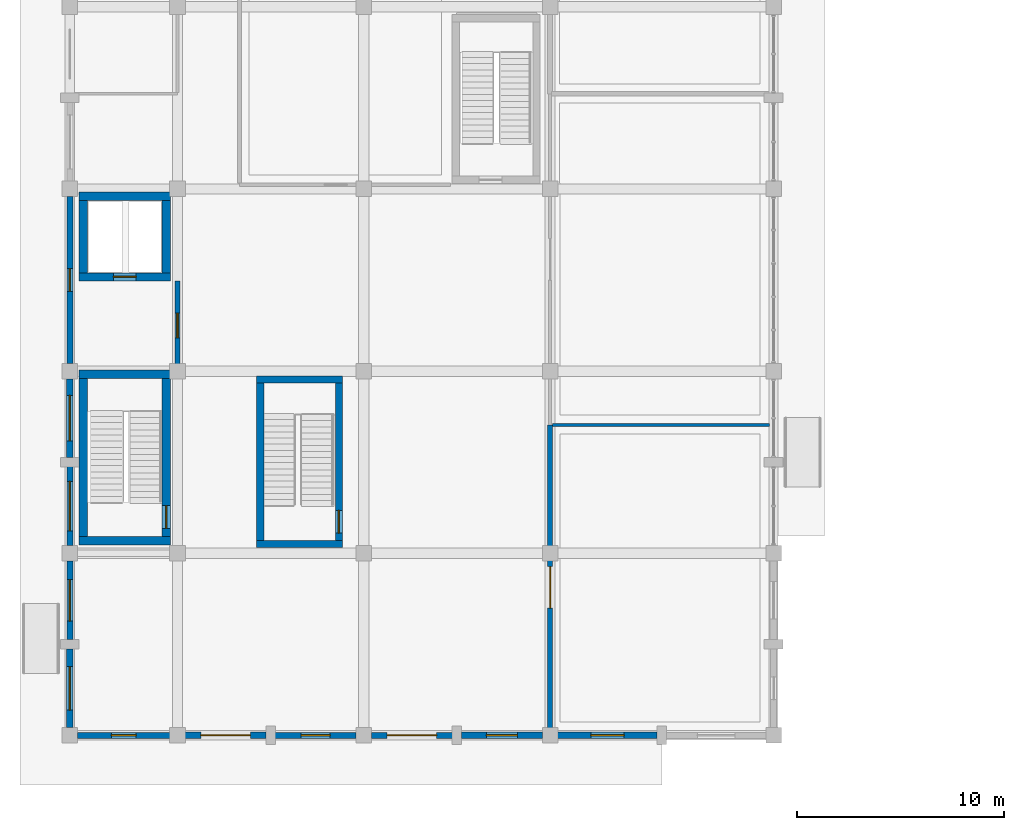
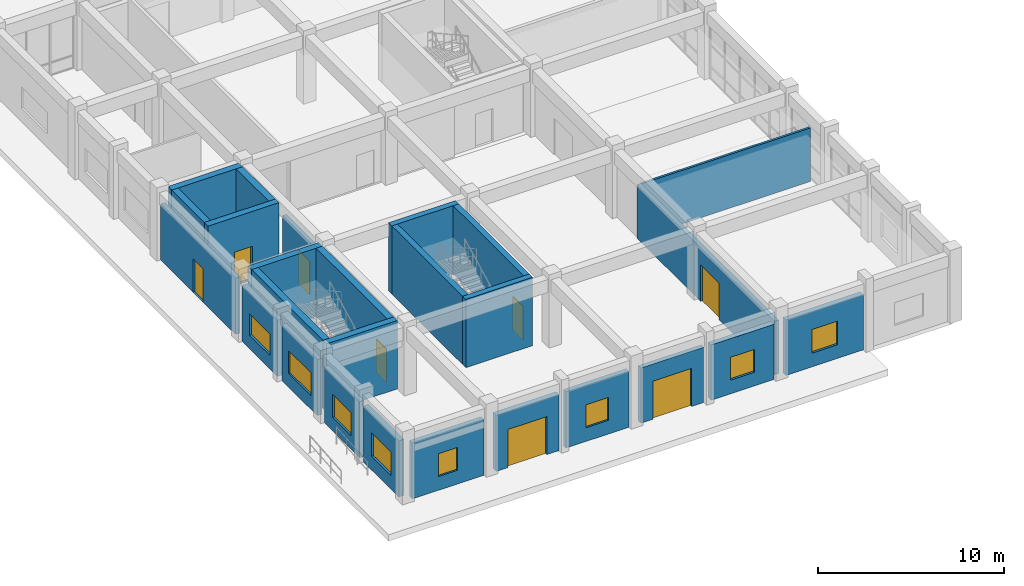
# One storey, part 32 of 47: 26 walls, 8 doors, 8 windows, 16 openings.
"""IFC4 building model written with IfcOpenShell, lengths in metres."""

from ifc_helpers import new_model, si_unit, direction, frame, frame_2d, origin, place, context, subcontext, project, spatial, rectangle, extrude, material, layer, layer_set, type_object, element, fill, save


model = new_model("IFC4")

# Units and contexts
model_context = context("Model", 3, precision=1e-05, world=origin(), true_north=direction((0.0, 1.0)))
body_context = subcontext(model_context, "Body", "Model", "MODEL_VIEW")
ifc_project = project(units=[si_unit("LENGTHUNIT", "METRE"), si_unit("AREAUNIT", "SQUARE_METRE"), si_unit("VOLUMEUNIT", "CUBIC_METRE"), si_unit("PLANEANGLEUNIT", "RADIAN"), si_unit("MASSUNIT", "GRAM", prefix="KILO")], contexts=[model_context])

# Site, building, storey
site_placement = place(None, origin())
site = spatial("IfcSite", under=ifc_project, at=site_placement, CompositionType="ELEMENT")
building_placement = place(site_placement, origin())
building = spatial("IfcBuilding", under=site, at=building_placement, Name="Ventoquebrada Cableway Terminal", CompositionType="ELEMENT")
storey_placement = place(building_placement, origin())
storey = spatial("IfcBuildingStorey", under=building, at=storey_placement, Name="L00", CompositionType="ELEMENT", Elevation=0.0)

# Wall
ifc_material_1 = material(Name="Concrete C40/50", Category="concrete")
ifc_layer_1 = layer(ifc_material_1, 0.39990234375)
ifc_layer_set_1 = layer_set([ifc_layer_1], Name="Concrete C40/50")
wall_type_1 = type_object("IfcWallType", Name="WL-CR1", PredefinedType="SHEAR", material=ifc_layer_set_1)
wall_1_placement = place(storey_placement, frame((3.449951171875, 12.39990234375, 0.0), z_axis=(0.0, 0.0, 1.0), x_axis=(1.0, 0.0, 0.0)))
element("IfcWall", 1, at=wall_1_placement, inside=storey, type_object=wall_type_1, Name="Core shear wall IW-0009", PredefinedType="SHEAR", context=body_context, shape_type="SweptSolid", body=[
    extrude(rectangle(XDim=4.400146484375, YDim=0.39990234375, at=frame_2d((2.2001953125, 0.0))), origin(), (0.0, 0.0, 1.0), 4.489990234375),
])

# Wall, opening, door
wall_2_placement = place(storey_placement, frame((7.64990234375, 12.60009765625, 0.0), z_axis=(0.0, 0.0, 1.0), x_axis=(0.0, 1.0, 0.0)))
wall_2 = element("IfcWall", 2, at=wall_2_placement, inside=storey, type_object=wall_type_1, Name="Core shear wall IW-0010", PredefinedType="SHEAR", context=body_context, shape_type="SweptSolid", body=[
    extrude(rectangle(XDim=7.64990234375, YDim=0.39990234375, at=frame_2d((3.824951171875, 0.0))), origin(), (0.0, 0.0, 1.0), 4.489990234375),
])
opening_1_placement = place(wall_2_placement, frame((0.39990234375, 0.0, 0.0)))
opening_1 = element("IfcOpeningElement", 3, at=opening_1_placement, cuts=wall_2, Name="Opening D-002", PredefinedType="OPENING", context=body_context, shape_type="SweptSolid", body=[
    extrude(rectangle(XDim=1.10009765625, YDim=2.199951171875, at=frame_2d((0.550048828125, 1.10009765625))), frame((0.0, 0.2099609375, 0.0), z_axis=(0.0, -1.0, 0.0), x_axis=(1.0, 0.0, 0.0)), (0.0, 0.0, 1.0), 0.419921875),
])
ifc_material_2 = material(Name="Galvanized fire-rated steel door assembly", Category="steel")
door_type_1 = type_object("IfcDoorType", Name="DT-IN05", OperationType="SINGLE_SWING_LEFT", PredefinedType="DOOR", material=ifc_material_2)
door_1_placement = place(opening_1_placement, origin())
door_1 = element("IfcDoor", 4, at=door_1_placement, inside=storey, type_object=door_type_1, Name="Core K1-S stair fire door D-002", OperationType="SINGLE_SWING_LEFT", OverallHeight=2.199951171875, OverallWidth=1.10009765625, PredefinedType="DOOR", context=body_context, shape_type="SweptSolid", body=[
    extrude(rectangle(XDim=1.10009765625, YDim=2.199951171875, at=frame_2d((0.550048828125, 1.10009765625))), frame((0.0, 0.02490234375, 0.0), z_axis=(0.0, -1.0, 0.0), x_axis=(1.0, 0.0, 0.0)), (0.0, 0.0, 1.0), 0.050048828125),
])
fill(opening_1, door_1)

# Walls
wall_3_placement = place(storey_placement, frame((7.85009765625, 20.449951171875, 0.0), z_axis=(0.0, 0.0, 1.0), x_axis=(-1.0, 0.0, 0.0)))
element("IfcWall", 5, at=wall_3_placement, inside=storey, type_object=wall_type_1, Name="Core shear wall IW-0011", PredefinedType="SHEAR", context=body_context, shape_type="SweptSolid", body=[
    extrude(rectangle(XDim=4.400146484375, YDim=0.39990234375, at=frame_2d((2.2001953125, 0.0))), origin(), (0.0, 0.0, 1.0), 4.489990234375),
])
wall_4_placement = place(storey_placement, frame((3.64990234375, 20.25, 0.0), z_axis=(0.0, 0.0, 1.0), x_axis=(0.0, -1.0, 0.0)))
element("IfcWall", 6, at=wall_4_placement, inside=storey, type_object=wall_type_1, Name="Core shear wall IW-0012", PredefinedType="SHEAR", context=body_context, shape_type="SweptSolid", body=[
    extrude(rectangle(XDim=7.64990234375, YDim=0.39990234375, at=frame_2d((3.824951171875, 0.0))), origin(), (0.0, 0.0, 1.0), 4.489990234375),
])

# Wall, opening, door
wall_5_placement = place(storey_placement, frame((3.449951171875, 25.14990234375, 0.0), z_axis=(0.0, 0.0, 1.0), x_axis=(1.0, 0.0, 0.0)))
wall_5 = element("IfcWall", 7, at=wall_5_placement, inside=storey, type_object=wall_type_1, Name="Core shear wall IW-0013", PredefinedType="SHEAR", context=body_context, shape_type="SweptSolid", body=[
    extrude(rectangle(XDim=4.400146484375, YDim=0.39990234375, at=frame_2d((2.2001953125, 0.0))), origin(), (0.0, 0.0, 1.0), 4.489990234375),
])
opening_2_placement = place(wall_5_placement, frame((1.64990234375, 0.0, 0.0)))
opening_2 = element("IfcOpeningElement", 8, at=opening_2_placement, cuts=wall_5, Name="Opening LD-002", PredefinedType="OPENING", context=body_context, shape_type="SweptSolid", body=[
    extrude(rectangle(XDim=1.10009765625, YDim=2.199951171875, at=frame_2d((0.550048828125, 1.10009765625))), frame((0.0, 0.2099609375, 0.0), z_axis=(0.0, -1.0, 0.0), x_axis=(1.0, 0.0, 0.0)), (0.0, 0.0, 1.0), 0.419921875),
])
ifc_material_3 = material(Name="Brushed stainless steel Grade 316", Category="steel")
door_type_2 = type_object("IfcDoorType", Name="DT-LD01", OperationType="SLIDING_TO_LEFT", PredefinedType="DOOR", material=ifc_material_3)
door_2_placement = place(opening_2_placement, origin())
door_2 = element("IfcDoor", 9, at=door_2_placement, inside=storey, type_object=door_type_2, Name="Lift landing sliding door LD-002", OperationType="SLIDING_TO_LEFT", OverallHeight=2.199951171875, OverallWidth=1.10009765625, PredefinedType="DOOR", context=body_context, shape_type="SweptSolid", body=[
    extrude(rectangle(XDim=1.10009765625, YDim=2.199951171875, at=frame_2d((0.550048828125, 1.10009765625))), frame((0.0, 0.02490234375, 0.0), z_axis=(0.0, -1.0, 0.0), x_axis=(1.0, 0.0, 0.0)), (0.0, 0.0, 1.0), 0.050048828125),
])
fill(opening_2, door_2)

# Walls
wall_6_placement = place(storey_placement, frame((7.64990234375, 25.35009765625, 0.0), z_axis=(0.0, 0.0, 1.0), x_axis=(0.0, 1.0, 0.0)))
element("IfcWall", 10, at=wall_6_placement, inside=storey, type_object=wall_type_1, Name="Core shear wall IW-0014", PredefinedType="SHEAR", context=body_context, shape_type="SweptSolid", body=[
    extrude(rectangle(XDim=3.5, YDim=0.39990234375, at=frame_2d((1.75, 0.0))), origin(), (0.0, 0.0, 1.0), 4.489990234375),
])
wall_7_placement = place(storey_placement, frame((7.85009765625, 29.050048828125, 0.0), z_axis=(0.0, 0.0, 1.0), x_axis=(-1.0, 0.0, 0.0)))
element("IfcWall", 11, at=wall_7_placement, inside=storey, type_object=wall_type_1, Name="Core shear wall IW-0015", PredefinedType="SHEAR", context=body_context, shape_type="SweptSolid", body=[
    extrude(rectangle(XDim=4.400146484375, YDim=0.39990234375, at=frame_2d((2.2001953125, 0.0))), origin(), (0.0, 0.0, 1.0), 4.489990234375),
])
wall_8_placement = place(storey_placement, frame((3.64990234375, 28.85009765625, 0.0), z_axis=(0.0, 0.0, 1.0), x_axis=(0.0, -1.0, 0.0)))
element("IfcWall", 12, at=wall_8_placement, inside=storey, type_object=wall_type_1, Name="Core shear wall IW-0016", PredefinedType="SHEAR", context=body_context, shape_type="SweptSolid", body=[
    extrude(rectangle(XDim=3.5, YDim=0.39990234375, at=frame_2d((1.75, 0.0))), origin(), (0.0, 0.0, 1.0), 4.489990234375),
])

# Wall, opening, window
ifc_material_4 = material(Name="Precast architectural concrete C40/50", Category="concrete")
ifc_layer_2 = layer(ifc_material_4, 0.280029296875)
ifc_layer_set_2 = layer_set([ifc_layer_2], Name="Precast architectural concrete C40/50")
wall_type_2 = type_object("IfcWallType", Name="WL-EX1", PredefinedType="SOLIDWALL", material=ifc_layer_set_2)
wall_9_placement = place(storey_placement, frame((3.3701171875, 3.0, 0.0), z_axis=(0.0, 0.0, 1.0), x_axis=(1.0, 0.0, 0.0)))
wall_9 = element("IfcWall", 13, at=wall_9_placement, inside=storey, type_object=wall_type_2, Name="Exterior architectural wall EW-0074", PredefinedType="SOLIDWALL", context=body_context, shape_type="SweptSolid", body=[
    extrude(rectangle(XDim=4.4599609375, YDim=0.280029296875, at=frame_2d((2.22998046875, 0.0))), origin(), (0.0, 0.0, 1.0), 3.68505859375),
])
opening_3_placement = place(wall_9_placement, frame((1.6298828125, 0.0, 0.89990234375)))
opening_3 = element("IfcOpeningElement", 14, at=opening_3_placement, cuts=wall_9, Name="Opening WN-001", PredefinedType="OPENING", context=body_context, shape_type="SweptSolid", body=[
    extrude(rectangle(XDim=1.199951171875, YDim=1.5, at=frame_2d((0.60009765625, 0.75))), frame((0.0, 0.14990234375, 0.0), z_axis=(0.0, -1.0, 0.0), x_axis=(1.0, 0.0, 0.0)), (0.0, 0.0, 1.0), 0.300048828125),
])
ifc_material_5 = material(Name="Double low-e laminated safety glazing", Category="glass")
window_type_1 = type_object("IfcWindowType", Name="WT-01", PartitioningType="SINGLE_PANEL", PredefinedType="WINDOW", material=ifc_material_5)
window_1_placement = place(opening_3_placement, origin())
window_1 = element("IfcWindow", 15, at=window_1_placement, inside=storey, type_object=window_type_1, Name="Architectural punched window WN-001", OverallHeight=1.5, OverallWidth=1.199951171875, PartitioningType="SINGLE_PANEL", PredefinedType="WINDOW", context=body_context, shape_type="SweptSolid", body=[
    extrude(rectangle(XDim=1.199951171875, YDim=1.5, at=frame_2d((0.60009765625, 0.75))), frame((0.0, 0.030029296875, 0.0), z_axis=(0.0, -1.0, 0.0), x_axis=(1.0, 0.0, 0.0)), (0.0, 0.0, 1.0), 0.06005859375),
])
fill(opening_3, window_1)

wall_10_placement = place(storey_placement, frame((12.919921875, 3.0, 0.0), z_axis=(0.0, 0.0, 1.0), x_axis=(1.0, 0.0, 0.0)))
wall_10 = element("IfcWall", 16, at=wall_10_placement, inside=storey, type_object=wall_type_2, Name="Exterior architectural wall EW-0076", PredefinedType="SOLIDWALL", context=body_context, shape_type="SweptSolid", body=[
    extrude(rectangle(XDim=3.91015625, YDim=0.280029296875, at=frame_2d((1.955078125, 0.0))), origin(), (0.0, 0.0, 1.0), 3.68505859375),
])
opening_4_placement = place(wall_10_placement, frame((1.2548828125, 0.0, 0.89990234375)))
opening_4 = element("IfcOpeningElement", 17, at=opening_4_placement, cuts=wall_10, Name="Opening WN-002", PredefinedType="OPENING", context=body_context, shape_type="SweptSolid", body=[
    extrude(rectangle(XDim=1.39990234375, YDim=1.5, at=frame_2d((0.699951171875, 0.75))), frame((0.0, 0.14990234375, 0.0), z_axis=(0.0, -1.0, 0.0), x_axis=(1.0, 0.0, 0.0)), (0.0, 0.0, 1.0), 0.300048828125),
])
window_type_2 = type_object("IfcWindowType", Name="WT-02", PartitioningType="SINGLE_PANEL", PredefinedType="WINDOW", material=ifc_material_5)
window_2_placement = place(opening_4_placement, origin())
window_2 = element("IfcWindow", 18, at=window_2_placement, inside=storey, type_object=window_type_2, Name="Architectural punched window WN-002", OverallHeight=1.5, OverallWidth=1.39990234375, PartitioningType="SINGLE_PANEL", PredefinedType="WINDOW", context=body_context, shape_type="SweptSolid", body=[
    extrude(rectangle(XDim=1.39990234375, YDim=1.5, at=frame_2d((0.699951171875, 0.75))), frame((0.0, 0.030029296875, 0.0), z_axis=(0.0, -1.0, 0.0), x_axis=(1.0, 0.0, 0.0)), (0.0, 0.0, 1.0), 0.06005859375),
])
fill(opening_4, window_2)

# Wall, opening, door
wall_11_placement = place(storey_placement, frame((17.570068359375, 3.0, 0.0), z_axis=(0.0, 0.0, 1.0), x_axis=(1.0, 0.0, 0.0)))
wall_11 = element("IfcWall", 19, at=wall_11_placement, inside=storey, type_object=wall_type_2, Name="Exterior architectural wall EW-0077", PredefinedType="SOLIDWALL", context=body_context, shape_type="SweptSolid", body=[
    extrude(rectangle(XDim=3.909912109375, YDim=0.280029296875, at=frame_2d((1.955078125, 0.0))), origin(), (0.0, 0.0, 1.0), 3.625),
])
opening_5_placement = place(wall_11_placement, frame((0.7548828125, 0.0, 0.0)))
opening_5 = element("IfcOpeningElement", 20, at=opening_5_placement, cuts=wall_11, Name="Opening D-EN-02", PredefinedType="OPENING", context=body_context, shape_type="SweptSolid", body=[
    extrude(rectangle(XDim=2.39990234375, YDim=2.5, at=frame_2d((1.199951171875, 1.25))), frame((0.0, 0.14990234375, 0.0), z_axis=(0.0, -1.0, 0.0), x_axis=(1.0, 0.0, 0.0)), (0.0, 0.0, 1.0), 0.300048828125),
])
ifc_material_6 = material(Name="Galvanized acoustic steel door assembly", Category="steel")
door_type_3 = type_object("IfcDoorType", Name="DT-EX02", OperationType="DOUBLE_SWING_RIGHT", PredefinedType="DOOR", material=ifc_material_6)
door_3_placement = place(opening_5_placement, origin())
door_3 = element("IfcDoor", 21, at=door_3_placement, inside=storey, type_object=door_type_3, Name="Exterior d-en door D-EN-02", OperationType="DOUBLE_SWING_LEFT", OverallHeight=2.5, OverallWidth=2.39990234375, PredefinedType="DOOR", context=body_context, shape_type="SweptSolid", body=[
    extrude(rectangle(XDim=2.39990234375, YDim=2.5, at=frame_2d((1.199951171875, 1.25))), frame((0.0, 0.02490234375, 0.0), z_axis=(0.0, -1.0, 0.0), x_axis=(1.0, 0.0, 0.0)), (0.0, 0.0, 1.0), 0.050048828125),
])
fill(opening_5, door_3)

# Wall, opening, window
wall_12_placement = place(storey_placement, frame((3.0, 11.429931640625, 0.0), z_axis=(0.0, 0.0, 1.0), x_axis=(0.0, -1.0, 0.0)))
wall_12 = element("IfcWall", 22, at=wall_12_placement, inside=storey, type_object=wall_type_2, Name="Exterior architectural wall EW-0085", PredefinedType="SOLIDWALL", context=body_context, shape_type="SweptSolid", body=[
    extrude(rectangle(XDim=3.809814453125, YDim=0.280029296875, at=frame_2d((1.90478515625, 0.0))), origin(), (0.0, 0.0, 1.0), 3.68505859375),
])
opening_6_placement = place(wall_12_placement, frame((0.905029296875, 0.0, 0.89990234375)))
opening_6 = element("IfcOpeningElement", 23, at=opening_6_placement, cuts=wall_12, Name="Opening WN-007", PredefinedType="OPENING", context=body_context, shape_type="SweptSolid", body=[
    extrude(rectangle(XDim=2.0, YDim=1.5, at=frame_2d((1.0, 0.75))), frame((0.0, 0.14990234375, 0.0), z_axis=(0.0, -1.0, 0.0), x_axis=(1.0, 0.0, 0.0)), (0.0, 0.0, 1.0), 0.300048828125),
])
window_type_3 = type_object("IfcWindowType", Name="WT-07", PartitioningType="SINGLE_PANEL", PredefinedType="WINDOW", material=ifc_material_5)
window_3_placement = place(opening_6_placement, origin())
window_3 = element("IfcWindow", 24, at=window_3_placement, inside=storey, type_object=window_type_3, Name="Architectural punched window WN-007", OverallHeight=1.5, OverallWidth=2.0, PartitioningType="SINGLE_PANEL", PredefinedType="WINDOW", context=body_context, shape_type="SweptSolid", body=[
    extrude(rectangle(XDim=2.0, YDim=1.5, at=frame_2d((1.0, 0.75))), frame((0.0, 0.030029296875, 0.0), z_axis=(0.0, -1.0, 0.0), x_axis=(1.0, 0.0, 0.0)), (0.0, 0.0, 1.0), 0.06005859375),
])
fill(opening_6, window_3)

wall_13_placement = place(storey_placement, frame((3.0, 15.97998046875, 0.0), z_axis=(0.0, 0.0, 1.0), x_axis=(0.0, -1.0, 0.0)))
wall_13 = element("IfcWall", 25, at=wall_13_placement, inside=storey, type_object=wall_type_2, Name="Exterior architectural wall EW-0088", PredefinedType="SOLIDWALL", context=body_context, shape_type="SweptSolid", body=[
    extrude(rectangle(XDim=3.81005859375, YDim=0.280029296875, at=frame_2d((1.905029296875, 0.0))), origin(), (0.0, 0.0, 1.0), 3.68505859375),
])
opening_7_placement = place(wall_13_placement, frame((0.705078125, 0.0, 0.89990234375)))
opening_7 = element("IfcOpeningElement", 26, at=opening_7_placement, cuts=wall_13, Name="Opening WN-010", PredefinedType="OPENING", context=body_context, shape_type="SweptSolid", body=[
    extrude(rectangle(XDim=2.39990234375, YDim=1.5, at=frame_2d((1.199951171875, 0.75))), frame((0.0, 0.14990234375, 0.0), z_axis=(0.0, -1.0, 0.0), x_axis=(1.0, 0.0, 0.0)), (0.0, 0.0, 1.0), 0.300048828125),
])
window_type_4 = type_object("IfcWindowType", Name="WT-10", PartitioningType="SINGLE_PANEL", PredefinedType="WINDOW", material=ifc_material_5)
window_4_placement = place(opening_7_placement, origin())
window_4 = element("IfcWindow", 27, at=window_4_placement, inside=storey, type_object=window_type_4, Name="Architectural punched window WN-010", OverallHeight=1.5, OverallWidth=2.39990234375, PartitioningType="SINGLE_PANEL", PredefinedType="WINDOW", context=body_context, shape_type="SweptSolid", body=[
    extrude(rectangle(XDim=2.39990234375, YDim=1.5, at=frame_2d((1.199951171875, 0.75))), frame((0.0, 0.030029296875, 0.0), z_axis=(0.0, -1.0, 0.0), x_axis=(1.0, 0.0, 0.0)), (0.0, 0.0, 1.0), 0.06005859375),
])
fill(opening_7, window_4)

# Wall, opening, door
wall_14_placement = place(storey_placement, frame((3.0, 29.030029296875, 0.0), z_axis=(0.0, 0.0, 1.0), x_axis=(0.0, -1.0, 0.0)))
wall_14 = element("IfcWall", 28, at=wall_14_placement, inside=storey, type_object=wall_type_2, Name="Exterior architectural wall EW-0089", PredefinedType="SOLIDWALL", context=body_context, shape_type="SweptSolid", body=[
    extrude(rectangle(XDim=8.06005859375, YDim=0.280029296875, at=frame_2d((4.030029296875, 0.0))), origin(), (0.0, 0.0, 1.0), 3.68505859375),
])
opening_8_placement = place(wall_14_placement, frame((3.47998046875, 0.0, 0.0)))
opening_8 = element("IfcOpeningElement", 29, at=opening_8_placement, cuts=wall_14, Name="Opening D-EX-06", PredefinedType="OPENING", context=body_context, shape_type="SweptSolid", body=[
    extrude(rectangle(XDim=1.10009765625, YDim=2.199951171875, at=frame_2d((0.550048828125, 1.10009765625))), frame((0.0, 0.14990234375, 0.0), z_axis=(0.0, -1.0, 0.0), x_axis=(1.0, 0.0, 0.0)), (0.0, 0.0, 1.0), 0.300048828125),
])
door_type_4 = type_object("IfcDoorType", Name="DT-EX04", OperationType="SINGLE_SWING_LEFT", PredefinedType="DOOR", material=ifc_material_6)
door_4_placement = place(opening_8_placement, origin())
door_4 = element("IfcDoor", 30, at=door_4_placement, inside=storey, type_object=door_type_4, Name="Exterior d-ex door D-EX-06", OperationType="SINGLE_SWING_LEFT", OverallHeight=2.199951171875, OverallWidth=1.10009765625, PredefinedType="DOOR", context=body_context, shape_type="SweptSolid", body=[
    extrude(rectangle(XDim=1.10009765625, YDim=2.199951171875, at=frame_2d((0.550048828125, 1.10009765625))), frame((0.0, 0.02490234375, 0.0), z_axis=(0.0, -1.0, 0.0), x_axis=(1.0, 0.0, 0.0)), (0.0, 0.0, 1.0), 0.050048828125),
])
fill(opening_8, door_4)

ifc_layer_3 = layer(ifc_material_4, 0.320068359375)
ifc_layer_set_3 = layer_set([ifc_layer_3], Name="Precast architectural concrete C40/50")
wall_type_3 = type_object("IfcWallType", Name="WL-EX2", PredefinedType="SOLIDWALL", material=ifc_layer_set_3)
wall_15_placement = place(storey_placement, frame((8.570068359375, 3.0, 0.0), z_axis=(0.0, 0.0, 1.0), x_axis=(1.0, 0.0, 0.0)))
wall_15 = element("IfcWall", 31, at=wall_15_placement, inside=storey, type_object=wall_type_3, Name="Exterior architectural wall EW-0075", PredefinedType="SOLIDWALL", context=body_context, shape_type="SweptSolid", body=[
    extrude(rectangle(XDim=3.909912109375, YDim=0.320068359375, at=frame_2d((1.955078125, 0.0))), origin(), (0.0, 0.0, 1.0), 3.68505859375),
])
opening_9_placement = place(wall_15_placement, frame((0.7548828125, 0.0, 0.0)))
opening_9 = element("IfcOpeningElement", 32, at=opening_9_placement, cuts=wall_15, Name="Opening D-EX-01", PredefinedType="OPENING", context=body_context, shape_type="SweptSolid", body=[
    extrude(rectangle(XDim=2.39990234375, YDim=2.5, at=frame_2d((1.199951171875, 1.25))), frame((0.0, 0.169921875, 0.0), z_axis=(0.0, -1.0, 0.0), x_axis=(1.0, 0.0, 0.0)), (0.0, 0.0, 1.0), 0.340087890625),
])
door_5_placement = place(opening_9_placement, origin())
door_5 = element("IfcDoor", 33, at=door_5_placement, inside=storey, type_object=door_type_3, Name="Exterior d-ex door D-EX-01", OperationType="DOUBLE_SWING_RIGHT", OverallHeight=2.5, OverallWidth=2.39990234375, PredefinedType="DOOR", context=body_context, shape_type="SweptSolid", body=[
    extrude(rectangle(XDim=2.39990234375, YDim=2.5, at=frame_2d((1.199951171875, 1.25))), frame((0.0, 0.02490234375, 0.0), z_axis=(0.0, -1.0, 0.0), x_axis=(1.0, 0.0, 0.0)), (0.0, 0.0, 1.0), 0.050048828125),
])
fill(opening_9, door_5)

# Wall, opening, window
wall_16_placement = place(storey_placement, frame((21.919921875, 3.0, 0.0), z_axis=(0.0, 0.0, 1.0), x_axis=(1.0, 0.0, 0.0)))
wall_16 = element("IfcWall", 34, at=wall_16_placement, inside=storey, type_object=wall_type_3, Name="Exterior architectural wall EW-0078", PredefinedType="SOLIDWALL", context=body_context, shape_type="SweptSolid", body=[
    extrude(rectangle(XDim=3.91015625, YDim=0.320068359375, at=frame_2d((1.955078125, 0.0))), origin(), (0.0, 0.0, 1.0), 3.625),
])
opening_10_placement = place(wall_16_placement, frame((1.205078125, 0.0, 0.89990234375)))
opening_10 = element("IfcOpeningElement", 35, at=opening_10_placement, cuts=wall_16, Name="Opening WN-003", PredefinedType="OPENING", context=body_context, shape_type="SweptSolid", body=[
    extrude(rectangle(XDim=1.5, YDim=1.5, at=frame_2d((0.75, 0.75))), frame((0.0, 0.169921875, 0.0), z_axis=(0.0, -1.0, 0.0), x_axis=(1.0, 0.0, 0.0)), (0.0, 0.0, 1.0), 0.340087890625),
])
window_type_5 = type_object("IfcWindowType", Name="WT-03", PartitioningType="SINGLE_PANEL", PredefinedType="WINDOW", material=ifc_material_5)
window_5_placement = place(opening_10_placement, origin())
window_5 = element("IfcWindow", 36, at=window_5_placement, inside=storey, type_object=window_type_5, Name="Architectural punched window WN-003", OverallHeight=1.5, OverallWidth=1.5, PartitioningType="SINGLE_PANEL", PredefinedType="WINDOW", context=body_context, shape_type="SweptSolid", body=[
    extrude(rectangle(XDim=1.5, YDim=1.5, at=frame_2d((0.75, 0.75))), frame((0.0, 0.030029296875, 0.0), z_axis=(0.0, -1.0, 0.0), x_axis=(1.0, 0.0, 0.0)), (0.0, 0.0, 1.0), 0.06005859375),
])
fill(opening_10, window_5)

wall_17_placement = place(storey_placement, frame((26.570068359375, 3.0, 0.0), z_axis=(0.0, 0.0, 1.0), x_axis=(1.0, 0.0, 0.0)))
wall_17 = element("IfcWall", 37, at=wall_17_placement, inside=storey, type_object=wall_type_3, Name="Exterior architectural wall EW-0079", PredefinedType="SOLIDWALL", context=body_context, shape_type="SweptSolid", body=[
    extrude(rectangle(XDim=4.809814453125, YDim=0.320068359375, at=frame_2d((2.40478515625, 0.0))), origin(), (0.0, 0.0, 1.0), 3.625),
])
opening_11_placement = place(wall_17_placement, frame((1.60498046875, 0.0, 0.89990234375)))
opening_11 = element("IfcOpeningElement", 38, at=opening_11_placement, cuts=wall_17, Name="Opening WN-004", PredefinedType="OPENING", context=body_context, shape_type="SweptSolid", body=[
    extrude(rectangle(XDim=1.60009765625, YDim=1.550048828125, at=frame_2d((0.800048828125, 0.77490234375))), frame((0.0, 0.169921875, 0.0), z_axis=(0.0, -1.0, 0.0), x_axis=(1.0, 0.0, 0.0)), (0.0, 0.0, 1.0), 0.340087890625),
])
window_type_6 = type_object("IfcWindowType", Name="WT-04", PartitioningType="SINGLE_PANEL", PredefinedType="WINDOW", material=ifc_material_5)
window_6_placement = place(opening_11_placement, origin())
window_6 = element("IfcWindow", 39, at=window_6_placement, inside=storey, type_object=window_type_6, Name="Architectural punched window WN-004", OverallHeight=1.550048828125, OverallWidth=1.60009765625, PartitioningType="SINGLE_PANEL", PredefinedType="WINDOW", context=body_context, shape_type="SweptSolid", body=[
    extrude(rectangle(XDim=1.60009765625, YDim=1.550048828125, at=frame_2d((0.800048828125, 0.77490234375))), frame((0.0, 0.030029296875, 0.0), z_axis=(0.0, -1.0, 0.0), x_axis=(1.0, 0.0, 0.0)), (0.0, 0.0, 1.0), 0.06005859375),
])
fill(opening_11, window_6)

wall_18_placement = place(storey_placement, frame((3.0, 7.179931640625, 0.0), z_axis=(0.0, 0.0, 1.0), x_axis=(0.0, -1.0, 0.0)))
wall_18 = element("IfcWall", 40, at=wall_18_placement, inside=storey, type_object=wall_type_3, Name="Exterior architectural wall EW-0086", PredefinedType="SOLIDWALL", context=body_context, shape_type="SweptSolid", body=[
    extrude(rectangle(XDim=3.809814453125, YDim=0.320068359375, at=frame_2d((1.90478515625, 0.0))), origin(), (0.0, 0.0, 1.0), 3.68505859375),
])
opening_12_placement = place(wall_18_placement, frame((0.85498046875, 0.0, 0.89990234375)))
opening_12 = element("IfcOpeningElement", 41, at=opening_12_placement, cuts=wall_18, Name="Opening WN-008", PredefinedType="OPENING", context=body_context, shape_type="SweptSolid", body=[
    extrude(rectangle(XDim=2.10009765625, YDim=1.550048828125, at=frame_2d((1.050048828125, 0.77490234375))), frame((0.0, 0.169921875, 0.0), z_axis=(0.0, -1.0, 0.0), x_axis=(1.0, 0.0, 0.0)), (0.0, 0.0, 1.0), 0.340087890625),
])
window_type_7 = type_object("IfcWindowType", Name="WT-08", PartitioningType="SINGLE_PANEL", PredefinedType="WINDOW", material=ifc_material_5)
window_7_placement = place(opening_12_placement, origin())
window_7 = element("IfcWindow", 42, at=window_7_placement, inside=storey, type_object=window_type_7, Name="Architectural punched window WN-008", OverallHeight=1.550048828125, OverallWidth=2.10009765625, PartitioningType="SINGLE_PANEL", PredefinedType="WINDOW", context=body_context, shape_type="SweptSolid", body=[
    extrude(rectangle(XDim=2.10009765625, YDim=1.550048828125, at=frame_2d((1.050048828125, 0.77490234375))), frame((0.0, 0.030029296875, 0.0), z_axis=(0.0, -1.0, 0.0), x_axis=(1.0, 0.0, 0.0)), (0.0, 0.0, 1.0), 0.06005859375),
])
fill(opening_12, window_7)

wall_19_placement = place(storey_placement, frame((3.0, 20.22998046875, 0.0), z_axis=(0.0, 0.0, 1.0), x_axis=(0.0, -1.0, 0.0)))
wall_19 = element("IfcWall", 43, at=wall_19_placement, inside=storey, type_object=wall_type_3, Name="Exterior architectural wall EW-0087", PredefinedType="SOLIDWALL", context=body_context, shape_type="SweptSolid", body=[
    extrude(rectangle(XDim=3.81005859375, YDim=0.320068359375, at=frame_2d((1.905029296875, 0.0))), origin(), (0.0, 0.0, 1.0), 3.68505859375),
])
opening_13_placement = place(wall_19_placement, frame((0.804931640625, 0.0, 0.89990234375)))
opening_13 = element("IfcOpeningElement", 44, at=opening_13_placement, cuts=wall_19, Name="Opening WN-009", PredefinedType="OPENING", context=body_context, shape_type="SweptSolid", body=[
    extrude(rectangle(XDim=2.199951171875, YDim=1.39990234375, at=frame_2d((1.10009765625, 0.699951171875))), frame((0.0, 0.169921875, 0.0), z_axis=(0.0, -1.0, 0.0), x_axis=(1.0, 0.0, 0.0)), (0.0, 0.0, 1.0), 0.340087890625),
])
window_type_8 = type_object("IfcWindowType", Name="WT-09", PartitioningType="SINGLE_PANEL", PredefinedType="WINDOW", material=ifc_material_5)
window_8_placement = place(opening_13_placement, origin())
window_8 = element("IfcWindow", 45, at=window_8_placement, inside=storey, type_object=window_type_8, Name="Architectural punched window WN-009", OverallHeight=1.39990234375, OverallWidth=2.199951171875, PartitioningType="SINGLE_PANEL", PredefinedType="WINDOW", context=body_context, shape_type="SweptSolid", body=[
    extrude(rectangle(XDim=2.199951171875, YDim=1.39990234375, at=frame_2d((1.10009765625, 0.699951171875))), frame((0.0, 0.030029296875, 0.0), z_axis=(0.0, -1.0, 0.0), x_axis=(1.0, 0.0, 0.0)), (0.0, 0.0, 1.0), 0.06005859375),
])
fill(opening_13, window_8)

# Wall, opening, door
ifc_material_7 = material(Name="Autoclaved aerated concrete blockwork", Category="masonry")
ifc_layer_4 = layer(ifc_material_7, 0.22998046875)
ifc_layer_set_4 = layer_set([ifc_layer_4], Name="Autoclaved aerated concrete blockwork")
wall_type_4 = type_object("IfcWallType", Name="WL-PT5", PredefinedType="PARTITIONING", material=ifc_layer_set_4)
wall_20_placement = place(storey_placement, frame((8.199951171875, 20.64990234375, 0.0), z_axis=(0.0, 0.0, 1.0), x_axis=(0.0, 1.0, 0.0)))
wall_20 = element("IfcWall", 46, at=wall_20_placement, inside=storey, type_object=wall_type_4, Name="Interior partition IW-0315", PredefinedType="PARTITIONING", context=body_context, shape_type="SweptSolid", body=[
    extrude(rectangle(XDim=4.300048828125, YDim=0.22998046875, at=frame_2d((2.14990234375, 0.0))), origin(), (0.0, 0.0, 1.0), 3.574951171875),
])
opening_14_placement = place(wall_20_placement, frame((1.550048828125, 0.0, 0.0)))
opening_14 = element("IfcOpeningElement", 47, at=opening_14_placement, cuts=wall_20, Name="Opening D-061", PredefinedType="OPENING", context=body_context, shape_type="SweptSolid", body=[
    extrude(rectangle(XDim=1.199951171875, YDim=2.199951171875, at=frame_2d((0.60009765625, 1.10009765625))), frame((0.0, 0.125, 0.0), z_axis=(0.0, -1.0, 0.0), x_axis=(1.0, 0.0, 0.0)), (0.0, 0.0, 1.0), 0.25),
])
door_type_5 = type_object("IfcDoorType", Name="DT-IN06", OperationType="SINGLE_SWING_RIGHT", PredefinedType="DOOR", material=ifc_material_2)
door_6_placement = place(opening_14_placement, origin())
door_6 = element("IfcDoor", 48, at=door_6_placement, inside=storey, type_object=door_type_5, Name="K1 Firefighting Lobby Door D-061", OperationType="SINGLE_SWING_RIGHT", OverallHeight=2.199951171875, OverallWidth=1.199951171875, PredefinedType="DOOR", context=body_context, shape_type="SweptSolid", body=[
    extrude(rectangle(XDim=1.199951171875, YDim=2.199951171875, at=frame_2d((0.60009765625, 1.10009765625))), frame((0.0, 0.02490234375, 0.0), z_axis=(0.0, -1.0, 0.0), x_axis=(1.0, 0.0, 0.0)), (0.0, 0.0, 1.0), 0.050048828125),
])
fill(opening_14, door_6)

ifc_layer_5 = layer(ifc_material_7, 0.260009765625)
ifc_layer_set_5 = layer_set([ifc_layer_5], Name="Autoclaved aerated concrete blockwork")
wall_type_5 = type_object("IfcWallType", Name="WL-PT6", PredefinedType="PARTITIONING", material=ifc_layer_set_5)
wall_21_placement = place(storey_placement, frame((26.199951171875, 3.199951171875, 0.0), z_axis=(0.0, 0.0, 1.0), x_axis=(0.0, 1.0, 0.0)))
wall_21 = element("IfcWall", 49, at=wall_21_placement, inside=storey, type_object=wall_type_5, Name="Interior partition IW-0316", PredefinedType="PARTITIONING", context=body_context, shape_type="SweptSolid", body=[
    extrude(rectangle(XDim=14.800048828125, YDim=0.260009765625, at=frame_2d((7.39990234375, 0.0))), origin(), (0.0, 0.0, 1.0), 3.514892578125),
])
opening_15_placement = place(wall_21_placement, frame((5.949951171875, 0.0, 0.0)))
opening_15 = element("IfcOpeningElement", 50, at=opening_15_placement, cuts=wall_21, Name="Opening D-062", PredefinedType="OPENING", context=body_context, shape_type="SweptSolid", body=[
    extrude(rectangle(XDim=2.0, YDim=2.39990234375, at=frame_2d((1.0, 1.199951171875))), frame((0.0, 0.139892578125, 0.0), z_axis=(0.0, -1.0, 0.0), x_axis=(1.0, 0.0, 0.0)), (0.0, 0.0, 1.0), 0.280029296875),
])
door_type_6 = type_object("IfcDoorType", Name="DT-IN09", OperationType="DOUBLE_DOOR_SINGLE_SWING", PredefinedType="DOOR", material=ifc_material_2)
door_7_placement = place(opening_15_placement, origin())
door_7 = element("IfcDoor", 51, at=door_7_placement, inside=storey, type_object=door_type_6, Name="Tourist Desk Double Door D-062", OperationType="DOUBLE_DOOR_SINGLE_SWING", OverallHeight=2.39990234375, OverallWidth=2.0, PredefinedType="DOOR", context=body_context, shape_type="SweptSolid", body=[
    extrude(rectangle(XDim=2.0, YDim=2.39990234375, at=frame_2d((1.0, 1.199951171875))), frame((0.0, 0.02490234375, 0.0), z_axis=(0.0, -1.0, 0.0), x_axis=(1.0, 0.0, 0.0)), (0.0, 0.0, 1.0), 0.050048828125),
])
fill(opening_15, door_7)

# Walls
ifc_material_8 = material(Name="Fire-rated gypsum partition board on steel framing", Category="steel")
ifc_layer_6 = layer(ifc_material_8, 0.135009765625)
ifc_layer_set_6 = layer_set([ifc_layer_6], Name="Fire-rated gypsum partition board on steel framing")
wall_type_6 = type_object("IfcWallType", Name="WL-PT7", PredefinedType="PARTITIONING", material=ifc_layer_set_6)
wall_22_placement = place(storey_placement, frame((26.327880859375, 18.0, 0.0), z_axis=(0.0, 0.0, 1.0), x_axis=(1.0, 0.0, 0.0)))
element("IfcWall", 52, at=wall_22_placement, inside=storey, type_object=wall_type_6, Name="Interior partition IW-0317", PredefinedType="PARTITIONING", context=body_context, shape_type="SweptSolid", body=[
    extrude(rectangle(XDim=10.47216796875, YDim=0.135009765625, at=frame_2d((5.236083984375, 0.0))), origin(), (0.0, 0.0, 1.0), 3.514892578125),
])
ifc_layer_7 = layer(ifc_material_1, 0.35009765625)
ifc_layer_set_7 = layer_set([ifc_layer_7], Name="Concrete C40/50")
wall_type_7 = type_object("IfcWallType", Name="WL-SH1", PredefinedType="SHEAR", material=ifc_layer_set_7)
wall_23_placement = place(storey_placement, frame((12.02490234375, 12.25, 0.0), z_axis=(0.0, 0.0, 1.0), x_axis=(1.0, 0.0, 0.0)))
element("IfcWall", 53, at=wall_23_placement, inside=storey, type_object=wall_type_7, Name="Core shear wall IW-0265", PredefinedType="SHEAR", context=body_context, shape_type="SweptSolid", body=[
    extrude(rectangle(XDim=4.150146484375, YDim=0.35009765625, at=frame_2d((2.0751953125, 0.0))), origin(), (0.0, 0.0, 1.0), 4.489990234375),
])

# Wall, opening, door
wall_24_placement = place(storey_placement, frame((16.0, 12.425048828125, 0.0), z_axis=(0.0, 0.0, 1.0), x_axis=(0.0, 1.0, 0.0)))
wall_24 = element("IfcWall", 54, at=wall_24_placement, inside=storey, type_object=wall_type_7, Name="Core shear wall IW-0266", PredefinedType="SHEAR", context=body_context, shape_type="SweptSolid", body=[
    extrude(rectangle(XDim=7.599853515625, YDim=0.35009765625, at=frame_2d((3.7998046875, 0.0))), origin(), (0.0, 0.0, 1.0), 4.489990234375),
])
opening_16_placement = place(wall_24_placement, frame((0.35009765625, 0.0, 0.0)))
opening_16 = element("IfcOpeningElement", 55, at=opening_16_placement, cuts=wall_24, Name="Opening D-041", PredefinedType="OPENING", context=body_context, shape_type="SweptSolid", body=[
    extrude(rectangle(XDim=1.10009765625, YDim=2.199951171875, at=frame_2d((0.550048828125, 1.10009765625))), frame((0.0, 0.18505859375, 0.0), z_axis=(0.0, -1.0, 0.0), x_axis=(1.0, 0.0, 0.0)), (0.0, 0.0, 1.0), 0.3701171875),
])
door_8_placement = place(opening_16_placement, origin())
door_8 = element("IfcDoor", 56, at=door_8_placement, inside=storey, type_object=door_type_1, Name="Core V5-FEAT stair fire door D-041", OperationType="SINGLE_SWING_RIGHT", OverallHeight=2.199951171875, OverallWidth=1.10009765625, PredefinedType="DOOR", context=body_context, shape_type="SweptSolid", body=[
    extrude(rectangle(XDim=1.10009765625, YDim=2.199951171875, at=frame_2d((0.550048828125, 1.10009765625))), frame((0.0, 0.02490234375, 0.0), z_axis=(0.0, -1.0, 0.0), x_axis=(1.0, 0.0, 0.0)), (0.0, 0.0, 1.0), 0.050048828125),
])
fill(opening_16, door_8)

# Walls
wall_25_placement = place(storey_placement, frame((16.175048828125, 20.199951171875, 0.0), z_axis=(0.0, 0.0, 1.0), x_axis=(-1.0, 0.0, 0.0)))
element("IfcWall", 57, at=wall_25_placement, inside=storey, type_object=wall_type_7, Name="Core shear wall IW-0267", PredefinedType="SHEAR", context=body_context, shape_type="SweptSolid", body=[
    extrude(rectangle(XDim=4.150146484375, YDim=0.35009765625, at=frame_2d((2.0751953125, 0.0))), origin(), (0.0, 0.0, 1.0), 4.489990234375),
])
wall_26_placement = place(storey_placement, frame((12.199951171875, 20.02490234375, 0.0), z_axis=(0.0, 0.0, 1.0), x_axis=(0.0, -1.0, 0.0)))
element("IfcWall", 58, at=wall_26_placement, inside=storey, type_object=wall_type_7, Name="Core shear wall IW-0268", PredefinedType="SHEAR", context=body_context, shape_type="SweptSolid", body=[
    extrude(rectangle(XDim=7.599853515625, YDim=0.35009765625, at=frame_2d((3.7998046875, 0.0))), origin(), (0.0, 0.0, 1.0), 4.489990234375),
])

save(model, "model.ifc")
